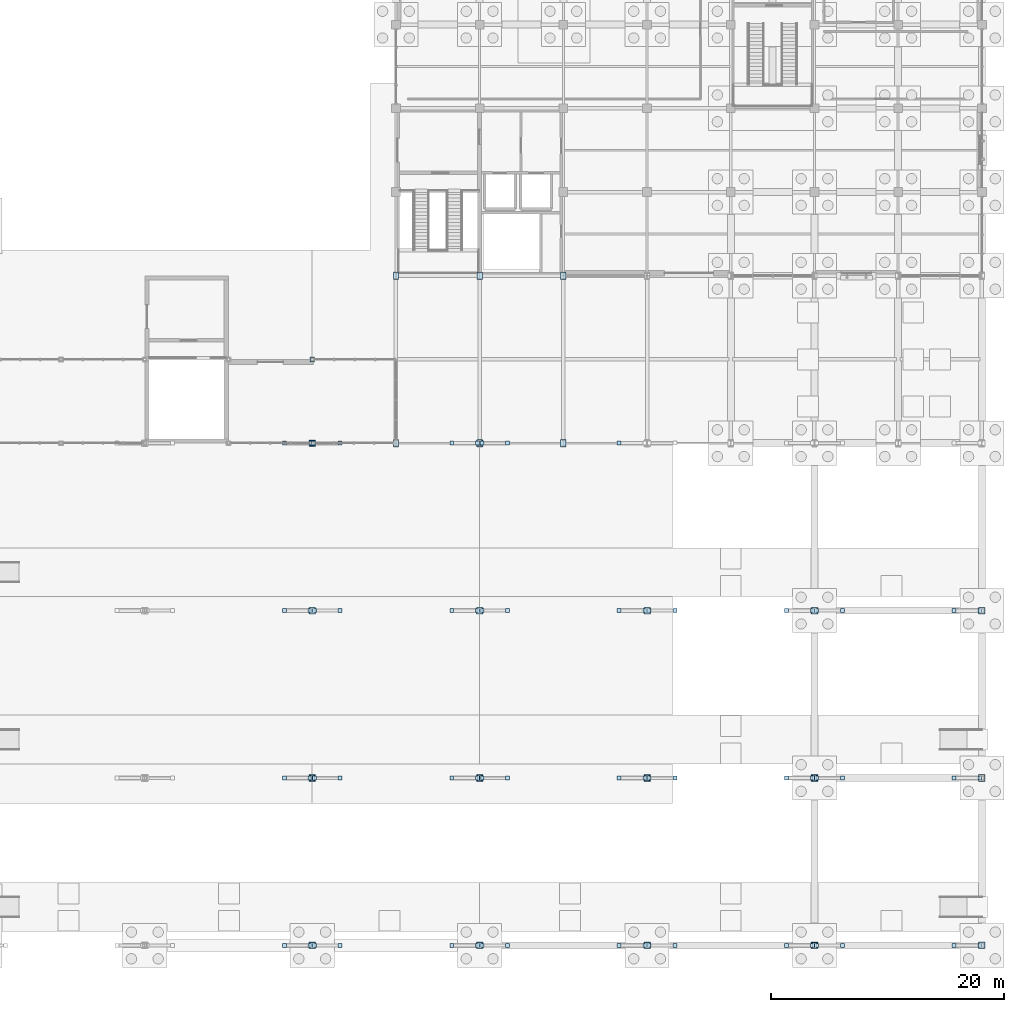
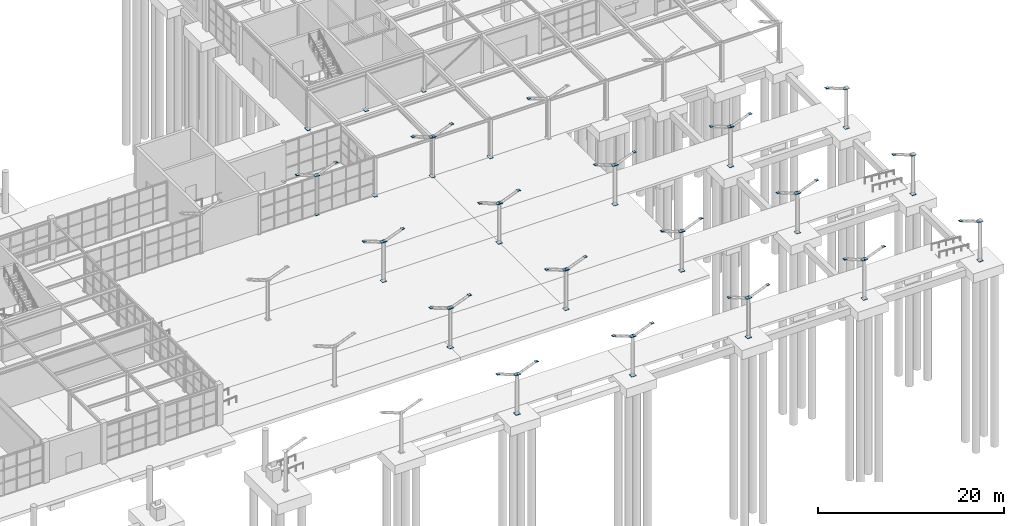
# One storey, part 55 of 75: 103 plates.
"""IFC4 building model written with IfcOpenShell, lengths in metres."""

from ifc_helpers import new_model, si_unit, direction, frame, origin, origin_2d, place, context, subcontext, project, spatial, rectangle, extrude, material, layer, layer_set, type_object, element, save


model = new_model("IFC4")

# Units and contexts
model_context = context("Model", 3, precision=1e-05, world=origin(), true_north=direction((0.0, 1.0)))
body_context = subcontext(model_context, "Body", "Model", "MODEL_VIEW")
ifc_project = project(units=[si_unit("LENGTHUNIT", "METRE"), si_unit("AREAUNIT", "SQUARE_METRE"), si_unit("VOLUMEUNIT", "CUBIC_METRE"), si_unit("PLANEANGLEUNIT", "RADIAN"), si_unit("MASSUNIT", "GRAM", prefix="KILO")], contexts=[model_context])

# Site, building, storey
site_placement = place(None, origin())
site = spatial("IfcSite", under=ifc_project, at=site_placement, CompositionType="ELEMENT")
building_placement = place(site_placement, origin())
building = spatial("IfcBuilding", under=site, at=building_placement, Name="Leyfeld Transit Interchange", CompositionType="ELEMENT")
storey_placement = place(building_placement, origin())
storey = spatial("IfcBuildingStorey", under=building, at=storey_placement, Name="L00", CompositionType="ELEMENT", Elevation=0.0)

# Plates
ifc_material = material(Name="Steel S355J2", Category="steel")
ifc_layer_1 = layer(ifc_material, 0.028076171875, Name="Steel S355J2")
ifc_layer_set_1 = layer_set([ifc_layer_1], Name="Steel S355J2")
plate_type_1 = type_object("IfcPlateType", Name="PLT-BASE-28", PredefinedType="USERDEFINED", material=ifc_layer_set_1)
for number, where, z_axis, x_axis, name in (
    (1, (129.60009765625, 43.199951171875, 0.0), (0.0, 0.0, 1.0), (1.0, 0.0, 0.0), "Column Baseplate 0708"),
    (2, (129.60009765625, 50.39990234375, 0.0), (0.0, 0.0, 1.0), (1.0, 0.0, 0.0), "Column Baseplate 0711"),
):
    element("IfcPlate", number, at=place(storey_placement, frame(where, z_axis=z_axis, x_axis=x_axis)), inside=storey, type_object=plate_type_1, Name=name, ObjectType="BASE_PLATE", PredefinedType="USERDEFINED", context=body_context, shape_type="SweptSolid", body=[
        extrude(rectangle(XDim=0.409912109375, YDim=0.409912109375, at=origin_2d()), origin(), (0.0, 0.0, 1.0), 0.028076171875),
    ])
ifc_layer_2 = layer(ifc_material, 0.031982421875, Name="Steel S355J2")
ifc_layer_set_2 = layer_set([ifc_layer_2], Name="Steel S355J2")
plate_type_2 = type_object("IfcPlateType", Name="PLT-BASE-32", PredefinedType="USERDEFINED", material=ifc_layer_set_2)
for number, where, z_axis, x_axis, name in (
    (3, (129.60009765625, 0.0, 0.0), (0.0, 0.0, 1.0), (1.0, 0.0, 0.0), "Column Baseplate 0695"),
    (4, (129.60009765625, 14.39990234375, 0.0), (0.0, 0.0, 1.0), (1.0, 0.0, 0.0), "Column Baseplate 0698"),
    (5, (129.60009765625, 28.800048828125, 0.0), (0.0, 0.0, 1.0), (1.0, 0.0, 0.0), "Column Baseplate 0703"),
):
    element("IfcPlate", number, at=place(storey_placement, frame(where, z_axis=z_axis, x_axis=x_axis)), inside=storey, type_object=plate_type_2, Name=name, ObjectType="BASE_PLATE", PredefinedType="USERDEFINED", context=body_context, shape_type="SweptSolid", body=[
        extrude(rectangle(XDim=0.56591796875, YDim=0.56591796875, at=origin_2d()), origin(), (0.0, 0.0, 1.0), 0.031982421875),
    ])
for number, where, z_axis, x_axis, name in (
    (6, (136.800048828125, 43.199951171875, 0.0), (0.0, 0.0, 1.0), (1.0, 0.0, 0.0), "Column Baseplate 0720"),
    (7, (136.800048828125, 57.60009765625, 0.0), (0.0, 0.0, 1.0), (1.0, 0.0, 0.0), "Column Baseplate 0726"),
):
    element("IfcPlate", number, at=place(storey_placement, frame(where, z_axis=z_axis, x_axis=x_axis)), inside=storey, type_object=plate_type_2, Name=name, ObjectType="BASE_PLATE", PredefinedType="USERDEFINED", context=body_context, shape_type="SweptSolid", body=[
        extrude(rectangle(XDim=0.4599609375, YDim=0.659912109375, at=origin_2d()), origin(), (0.0, 0.0, 1.0), 0.031982421875),
    ])
for number, where, z_axis, x_axis, name in (
    (8, (144.0, 0.0, 0.0), (0.0, 0.0, 1.0), (1.0, 0.0, 0.0), "Column Baseplate 0756"),
    (9, (144.0, 14.39990234375, 0.0), (0.0, 0.0, 1.0), (1.0, 0.0, 0.0), "Column Baseplate 0759"),
    (10, (144.0, 28.800048828125, 0.0), (0.0, 0.0, 1.0), (1.0, 0.0, 0.0), "Column Baseplate 0764"),
):
    element("IfcPlate", number, at=place(storey_placement, frame(where, z_axis=z_axis, x_axis=x_axis)), inside=storey, type_object=plate_type_2, Name=name, ObjectType="BASE_PLATE", PredefinedType="USERDEFINED", context=body_context, shape_type="SweptSolid", body=[
        extrude(rectangle(XDim=0.56591796875, YDim=0.56591796875, at=origin_2d()), origin(), (0.0, 0.0, 1.0), 0.031982421875),
    ])
for number, where, z_axis, x_axis, name in (
    (11, (144.0, 43.199951171875, 0.0), (0.0, 0.0, 1.0), (1.0, 0.0, 0.0), "Column Baseplate 0769"),
    (12, (144.0, 57.60009765625, 0.0), (0.0, 0.0, 1.0), (1.0, 0.0, 0.0), "Column Baseplate 0775"),
    (13, (151.199951171875, 43.199951171875, 0.0), (0.0, 0.0, 1.0), (1.0, 0.0, 0.0), "Column Baseplate 0806"),
    (14, (151.199951171875, 57.60009765625, 0.0), (0.0, 0.0, 1.0), (1.0, 0.0, 0.0), "Column Baseplate 0812"),
):
    element("IfcPlate", number, at=place(storey_placement, frame(where, z_axis=z_axis, x_axis=x_axis)), inside=storey, type_object=plate_type_2, Name=name, ObjectType="BASE_PLATE", PredefinedType="USERDEFINED", context=body_context, shape_type="SweptSolid", body=[
        extrude(rectangle(XDim=0.4599609375, YDim=0.659912109375, at=origin_2d()), origin(), (0.0, 0.0, 1.0), 0.031982421875),
    ])
for number, where, z_axis, x_axis, name in (
    (15, (158.39990234375, 0.0, 0.0), (0.0, 0.0, 1.0), (1.0, 0.0, 0.0), "Column Baseplate 0842"),
    (16, (158.39990234375, 14.39990234375, 0.0), (0.0, 0.0, 1.0), (1.0, 0.0, 0.0), "Column Baseplate 0845"),
    (17, (158.39990234375, 28.800048828125, 0.0), (0.0, 0.0, 1.0), (1.0, 0.0, 0.0), "Column Baseplate 0848"),
    (18, (172.800048828125, 0.0, 0.0), (0.0, 0.0, 1.0), (1.0, 0.0, 0.0), "Column Baseplate 0916"),
    (19, (172.800048828125, 14.39990234375, 0.0), (0.0, 0.0, 1.0), (1.0, 0.0, 0.0), "Column Baseplate 0917"),
    (20, (172.800048828125, 28.800048828125, 0.0), (0.0, 0.0, 1.0), (1.0, 0.0, 0.0), "Column Baseplate 0918"),
    (21, (187.199951171875, 0.0, 0.0), (0.0, 0.0, 1.0), (1.0, 0.0, 0.0), "Column Baseplate 0973"),
    (22, (187.199951171875, 14.39990234375, 0.0), (0.0, 0.0, 1.0), (1.0, 0.0, 0.0), "Column Baseplate 0974"),
    (23, (187.199951171875, 28.800048828125, 0.0), (0.0, 0.0, 1.0), (1.0, 0.0, 0.0), "Column Baseplate 0975"),
):
    element("IfcPlate", number, at=place(storey_placement, frame(where, z_axis=z_axis, x_axis=x_axis)), inside=storey, type_object=plate_type_2, Name=name, ObjectType="BASE_PLATE", PredefinedType="USERDEFINED", context=body_context, shape_type="SweptSolid", body=[
        extrude(rectangle(XDim=0.56591796875, YDim=0.56591796875, at=origin_2d()), origin(), (0.0, 0.0, 1.0), 0.031982421875),
    ])
for number, where, z_axis, x_axis, name in (
    (24, (129.60009765625, 0.0, 5.18408203125), (0.0, 0.0, 1.0), (1.0, 0.0, 0.0), "V-Strut Pier Cap Plate 006"),
    (25, (129.60009765625, 14.39990234375, 5.18408203125), (0.0, 0.0, 1.0), (1.0, 0.0, 0.0), "V-Strut Pier Cap Plate 007"),
    (26, (129.60009765625, 28.800048828125, 5.18408203125), (0.0, 0.0, 1.0), (1.0, 0.0, 0.0), "V-Strut Pier Cap Plate 008"),
    (27, (129.60009765625, 43.199951171875, 5.18408203125), (0.0, 0.0, 1.0), (1.0, 0.0, 0.0), "V-Strut Pier Cap Plate 009"),
    (28, (144.0, 0.0, 5.18408203125), (0.0, 0.0, 1.0), (1.0, 0.0, 0.0), "V-Strut Pier Cap Plate 010"),
    (29, (144.0, 14.39990234375, 5.18408203125), (0.0, 0.0, 1.0), (1.0, 0.0, 0.0), "V-Strut Pier Cap Plate 011"),
    (30, (144.0, 28.800048828125, 5.18408203125), (0.0, 0.0, 1.0), (1.0, 0.0, 0.0), "V-Strut Pier Cap Plate 012"),
    (31, (144.0, 43.199951171875, 5.18408203125), (0.0, 0.0, 1.0), (1.0, 0.0, 0.0), "V-Strut Pier Cap Plate 013"),
    (32, (158.39990234375, 0.0, 5.18408203125), (0.0, 0.0, 1.0), (1.0, 0.0, 0.0), "V-Strut Pier Cap Plate 014"),
    (33, (158.39990234375, 14.39990234375, 5.18408203125), (0.0, 0.0, 1.0), (1.0, 0.0, 0.0), "V-Strut Pier Cap Plate 015"),
    (34, (158.39990234375, 28.800048828125, 5.18408203125), (0.0, 0.0, 1.0), (1.0, 0.0, 0.0), "V-Strut Pier Cap Plate 016"),
    (35, (172.800048828125, 0.0, 5.18408203125), (0.0, 0.0, 1.0), (1.0, 0.0, 0.0), "V-Strut Pier Cap Plate 018"),
    (36, (172.800048828125, 14.39990234375, 5.18408203125), (0.0, 0.0, 1.0), (1.0, 0.0, 0.0), "V-Strut Pier Cap Plate 019"),
    (37, (172.800048828125, 28.800048828125, 5.18408203125), (0.0, 0.0, 1.0), (1.0, 0.0, 0.0), "V-Strut Pier Cap Plate 020"),
    (38, (187.199951171875, 0.0, 5.18408203125), (0.0, 0.0, 1.0), (1.0, 0.0, 0.0), "V-Strut Pier Cap Plate 022"),
    (39, (187.199951171875, 14.39990234375, 5.18408203125), (0.0, 0.0, 1.0), (1.0, 0.0, 0.0), "V-Strut Pier Cap Plate 023"),
    (40, (187.199951171875, 28.800048828125, 5.18408203125), (0.0, 0.0, 1.0), (1.0, 0.0, 0.0), "V-Strut Pier Cap Plate 024"),
):
    element("IfcPlate", number, at=place(storey_placement, frame(where, z_axis=z_axis, x_axis=x_axis)), inside=storey, type_object=plate_type_2, Name=name, ObjectType="BASE_PLATE", PredefinedType="USERDEFINED", context=body_context, shape_type="SweptSolid", body=[
        extrude(rectangle(XDim=0.550048828125, YDim=0.550048828125, at=origin_2d()), origin(), (0.0, 0.0, 1.0), 0.031982421875),
    ])
ifc_layer_3 = layer(ifc_material, 0.02490234375, Name="Steel S355J2")
ifc_layer_set_3 = layer_set([ifc_layer_3], Name="Steel S355J2")
plate_type_3 = type_object("IfcPlateType", Name="PLT-CAP-25", PredefinedType="USERDEFINED", material=ifc_layer_set_3)
for number, where, z_axis, x_axis, name in (
    (41, (129.4150390625, 0.0, 5.177490234375), (0.0, 0.0, 1.0), (1.0, 0.0, 0.0), "V-Strut Lower Shoe Plate 010"),
    (42, (127.199951171875, 0.0, 6.047607421875), (0.0, 0.0, 1.0), (1.0, 0.0, 0.0), "V-Strut Upper End Cap 010"),
    (43, (129.784912109375, 0.0, 5.177490234375), (0.0, 0.0, 1.0), (1.0, 0.0, 0.0), "V-Strut Lower Shoe Plate 011"),
    (44, (132.0, 0.0, 6.047607421875), (0.0, 0.0, 1.0), (1.0, 0.0, 0.0), "V-Strut Upper End Cap 011"),
    (45, (129.4150390625, 14.39990234375, 5.177490234375), (0.0, 0.0, 1.0), (1.0, 0.0, 0.0), "V-Strut Lower Shoe Plate 012"),
    (46, (127.199951171875, 14.39990234375, 6.047607421875), (0.0, 0.0, 1.0), (1.0, 0.0, 0.0), "V-Strut Upper End Cap 012"),
    (47, (129.784912109375, 14.39990234375, 5.177490234375), (0.0, 0.0, 1.0), (1.0, 0.0, 0.0), "V-Strut Lower Shoe Plate 013"),
    (48, (132.0, 14.39990234375, 6.047607421875), (0.0, 0.0, 1.0), (1.0, 0.0, 0.0), "V-Strut Upper End Cap 013"),
    (49, (129.4150390625, 28.800048828125, 5.177490234375), (0.0, 0.0, 1.0), (1.0, 0.0, 0.0), "V-Strut Lower Shoe Plate 014"),
    (50, (127.199951171875, 28.800048828125, 6.047607421875), (0.0, 0.0, 1.0), (1.0, 0.0, 0.0), "V-Strut Upper End Cap 014"),
    (51, (129.784912109375, 28.800048828125, 5.177490234375), (0.0, 0.0, 1.0), (1.0, 0.0, 0.0), "V-Strut Lower Shoe Plate 015"),
    (52, (132.0, 28.800048828125, 6.047607421875), (0.0, 0.0, 1.0), (1.0, 0.0, 0.0), "V-Strut Upper End Cap 015"),
    (53, (129.48193359375, 43.199951171875, 5.1474609375), (0.0, 0.0, 1.0), (1.0, 0.0, 0.0), "V-Strut Lower Shoe Plate 016"),
    (54, (127.199951171875, 43.199951171875, 6.047607421875), (0.0, 0.0, 1.0), (1.0, 0.0, 0.0), "V-Strut Upper End Cap 016"),
    (55, (129.718017578125, 43.199951171875, 5.1474609375), (0.0, 0.0, 1.0), (1.0, 0.0, 0.0), "V-Strut Lower Shoe Plate 017"),
    (56, (132.0, 43.199951171875, 6.047607421875), (0.0, 0.0, 1.0), (1.0, 0.0, 0.0), "V-Strut Upper End Cap 017"),
    (57, (143.81494140625, 0.0, 5.177490234375), (0.0, 0.0, 1.0), (1.0, 0.0, 0.0), "V-Strut Lower Shoe Plate 018"),
    (58, (141.60009765625, 0.0, 6.047607421875), (0.0, 0.0, 1.0), (1.0, 0.0, 0.0), "V-Strut Upper End Cap 018"),
    (59, (144.18505859375, 0.0, 5.177490234375), (0.0, 0.0, 1.0), (1.0, 0.0, 0.0), "V-Strut Lower Shoe Plate 019"),
    (60, (146.39990234375, 0.0, 6.047607421875), (0.0, 0.0, 1.0), (1.0, 0.0, 0.0), "V-Strut Upper End Cap 019"),
    (61, (143.81494140625, 14.39990234375, 5.177490234375), (0.0, 0.0, 1.0), (1.0, 0.0, 0.0), "V-Strut Lower Shoe Plate 020"),
    (62, (141.60009765625, 14.39990234375, 6.047607421875), (0.0, 0.0, 1.0), (1.0, 0.0, 0.0), "V-Strut Upper End Cap 020"),
    (63, (144.18505859375, 14.39990234375, 5.177490234375), (0.0, 0.0, 1.0), (1.0, 0.0, 0.0), "V-Strut Lower Shoe Plate 021"),
    (64, (146.39990234375, 14.39990234375, 6.047607421875), (0.0, 0.0, 1.0), (1.0, 0.0, 0.0), "V-Strut Upper End Cap 021"),
    (65, (143.81494140625, 28.800048828125, 5.177490234375), (0.0, 0.0, 1.0), (1.0, 0.0, 0.0), "V-Strut Lower Shoe Plate 022"),
    (66, (141.60009765625, 28.800048828125, 6.047607421875), (0.0, 0.0, 1.0), (1.0, 0.0, 0.0), "V-Strut Upper End Cap 022"),
    (67, (144.18505859375, 28.800048828125, 5.177490234375), (0.0, 0.0, 1.0), (1.0, 0.0, 0.0), "V-Strut Lower Shoe Plate 023"),
    (68, (146.39990234375, 28.800048828125, 6.047607421875), (0.0, 0.0, 1.0), (1.0, 0.0, 0.0), "V-Strut Upper End Cap 023"),
    (69, (143.81494140625, 43.199951171875, 5.177490234375), (0.0, 0.0, 1.0), (1.0, 0.0, 0.0), "V-Strut Lower Shoe Plate 024"),
    (70, (141.60009765625, 43.199951171875, 6.047607421875), (0.0, 0.0, 1.0), (1.0, 0.0, 0.0), "V-Strut Upper End Cap 024"),
    (71, (144.18505859375, 43.199951171875, 5.177490234375), (0.0, 0.0, 1.0), (1.0, 0.0, 0.0), "V-Strut Lower Shoe Plate 025"),
    (72, (146.39990234375, 43.199951171875, 6.047607421875), (0.0, 0.0, 1.0), (1.0, 0.0, 0.0), "V-Strut Upper End Cap 025"),
    (73, (158.215087890625, 0.0, 5.177490234375), (0.0, 0.0, 1.0), (1.0, 0.0, 0.0), "V-Strut Lower Shoe Plate 026"),
    (74, (156.0, 0.0, 6.047607421875), (0.0, 0.0, 1.0), (1.0, 0.0, 0.0), "V-Strut Upper End Cap 026"),
    (75, (158.5849609375, 0.0, 5.177490234375), (0.0, 0.0, 1.0), (1.0, 0.0, 0.0), "V-Strut Lower Shoe Plate 027"),
    (76, (160.800048828125, 0.0, 6.047607421875), (0.0, 0.0, 1.0), (1.0, 0.0, 0.0), "V-Strut Upper End Cap 027"),
    (77, (158.215087890625, 14.39990234375, 5.177490234375), (0.0, 0.0, 1.0), (1.0, 0.0, 0.0), "V-Strut Lower Shoe Plate 028"),
    (78, (156.0, 14.39990234375, 6.047607421875), (0.0, 0.0, 1.0), (1.0, 0.0, 0.0), "V-Strut Upper End Cap 028"),
    (79, (158.5849609375, 14.39990234375, 5.177490234375), (0.0, 0.0, 1.0), (1.0, 0.0, 0.0), "V-Strut Lower Shoe Plate 029"),
    (80, (160.800048828125, 14.39990234375, 6.047607421875), (0.0, 0.0, 1.0), (1.0, 0.0, 0.0), "V-Strut Upper End Cap 029"),
    (81, (158.215087890625, 28.800048828125, 5.177490234375), (0.0, 0.0, 1.0), (1.0, 0.0, 0.0), "V-Strut Lower Shoe Plate 030"),
    (82, (156.0, 28.800048828125, 6.047607421875), (0.0, 0.0, 1.0), (1.0, 0.0, 0.0), "V-Strut Upper End Cap 030"),
    (83, (158.5849609375, 28.800048828125, 5.177490234375), (0.0, 0.0, 1.0), (1.0, 0.0, 0.0), "V-Strut Lower Shoe Plate 031"),
    (84, (160.800048828125, 28.800048828125, 6.047607421875), (0.0, 0.0, 1.0), (1.0, 0.0, 0.0), "V-Strut Upper End Cap 031"),
    (85, (156.0, 43.199951171875, 6.047607421875), (0.0, 0.0, 1.0), (1.0, 0.0, 0.0), "V-Strut Upper End Cap 032"),
    (86, (172.614990234375, 0.0, 5.177490234375), (0.0, 0.0, 1.0), (1.0, 0.0, 0.0), "V-Strut Lower Shoe Plate 034"),
    (87, (170.39990234375, 0.0, 6.047607421875), (0.0, 0.0, 1.0), (1.0, 0.0, 0.0), "V-Strut Upper End Cap 034"),
    (88, (172.985107421875, 0.0, 5.177490234375), (0.0, 0.0, 1.0), (1.0, 0.0, 0.0), "V-Strut Lower Shoe Plate 035"),
    (89, (175.199951171875, 0.0, 6.047607421875), (0.0, 0.0, 1.0), (1.0, 0.0, 0.0), "V-Strut Upper End Cap 035"),
    (90, (172.614990234375, 14.39990234375, 5.177490234375), (0.0, 0.0, 1.0), (1.0, 0.0, 0.0), "V-Strut Lower Shoe Plate 036"),
    (91, (170.39990234375, 14.39990234375, 6.047607421875), (0.0, 0.0, 1.0), (1.0, 0.0, 0.0), "V-Strut Upper End Cap 036"),
    (92, (172.985107421875, 14.39990234375, 5.177490234375), (0.0, 0.0, 1.0), (1.0, 0.0, 0.0), "V-Strut Lower Shoe Plate 037"),
    (93, (175.199951171875, 14.39990234375, 6.047607421875), (0.0, 0.0, 1.0), (1.0, 0.0, 0.0), "V-Strut Upper End Cap 037"),
    (94, (172.614990234375, 28.800048828125, 5.177490234375), (0.0, 0.0, 1.0), (1.0, 0.0, 0.0), "V-Strut Lower Shoe Plate 038"),
    (95, (170.39990234375, 28.800048828125, 6.047607421875), (0.0, 0.0, 1.0), (1.0, 0.0, 0.0), "V-Strut Upper End Cap 038"),
    (96, (172.985107421875, 28.800048828125, 5.177490234375), (0.0, 0.0, 1.0), (1.0, 0.0, 0.0), "V-Strut Lower Shoe Plate 039"),
    (97, (175.199951171875, 28.800048828125, 6.047607421875), (0.0, 0.0, 1.0), (1.0, 0.0, 0.0), "V-Strut Upper End Cap 039"),
    (98, (187.014892578125, 0.0, 5.177490234375), (0.0, 0.0, 1.0), (1.0, 0.0, 0.0), "V-Strut Lower Shoe Plate 042"),
    (99, (184.800048828125, 0.0, 6.047607421875), (0.0, 0.0, 1.0), (1.0, 0.0, 0.0), "V-Strut Upper End Cap 042"),
    (100, (187.014892578125, 14.39990234375, 5.177490234375), (0.0, 0.0, 1.0), (1.0, 0.0, 0.0), "V-Strut Lower Shoe Plate 043"),
    (101, (184.800048828125, 14.39990234375, 6.047607421875), (0.0, 0.0, 1.0), (1.0, 0.0, 0.0), "V-Strut Upper End Cap 043"),
    (102, (187.014892578125, 28.800048828125, 5.177490234375), (0.0, 0.0, 1.0), (1.0, 0.0, 0.0), "V-Strut Lower Shoe Plate 044"),
    (103, (184.800048828125, 28.800048828125, 6.047607421875), (0.0, 0.0, 1.0), (1.0, 0.0, 0.0), "V-Strut Upper End Cap 044"),
):
    element("IfcPlate", number, at=place(storey_placement, frame(where, z_axis=z_axis, x_axis=x_axis)), inside=storey, type_object=plate_type_3, Name=name, ObjectType="FLANGE_PLATE", PredefinedType="USERDEFINED", context=body_context, shape_type="SweptSolid", body=[
        extrude(rectangle(XDim=0.340087890625, YDim=0.340087890625, at=origin_2d()), origin(), (0.0, 0.0, 1.0), 0.02490234375),
    ])

save(model, "model.ifc")
